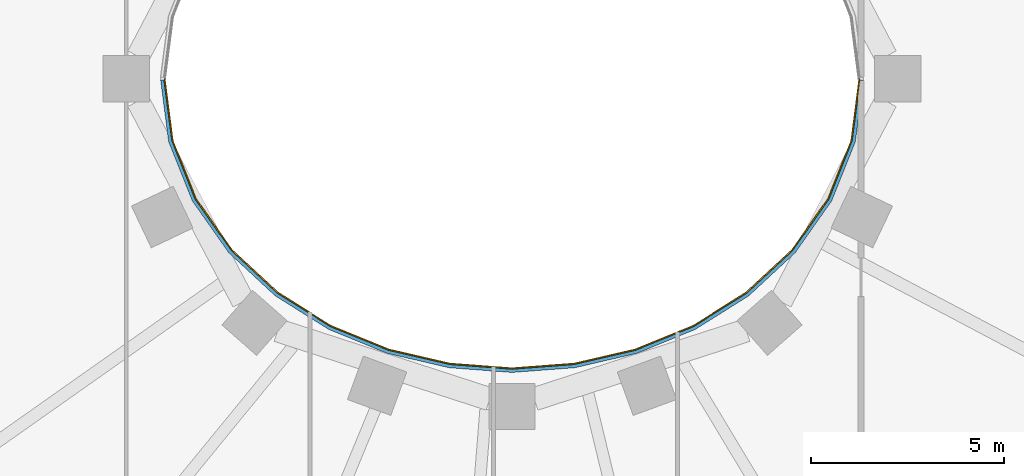
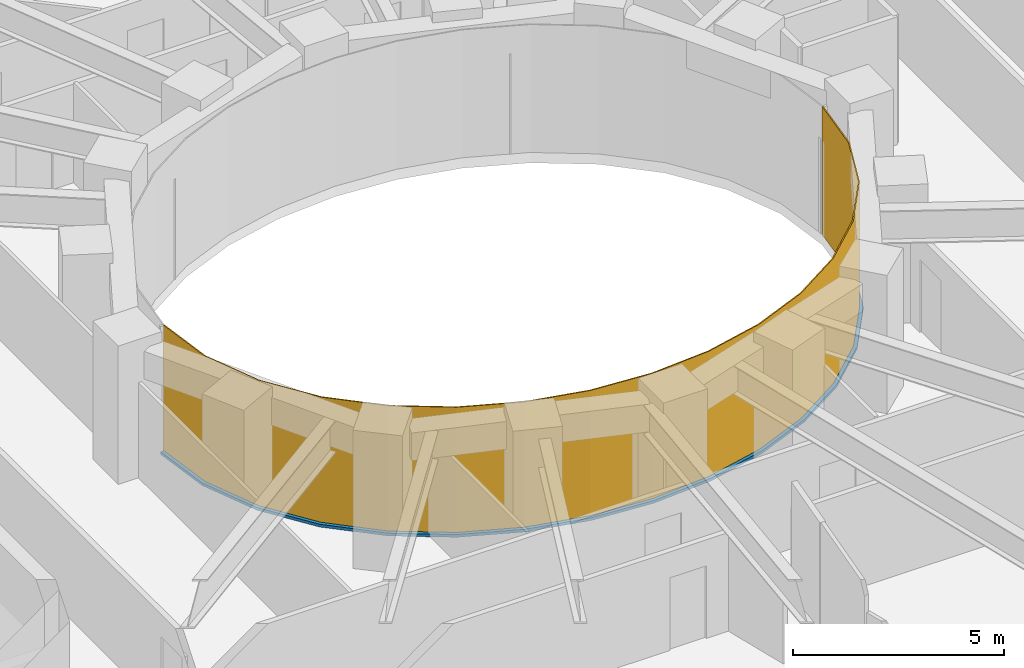
# One storey, part 9 of 16: 1 curtain wall, 1 member.
"""IFC4 building model written with IfcOpenShell, lengths in metres."""

from ifc_helpers import new_model, si_unit, direction, frame, origin, place, context, subcontext, project, spatial, polyline, outline, extrude, material, layer, layer_set, type_object, element, aggregate, save


model = new_model("IFC4")

# Units and contexts
model_context = context("Model", 3, precision=1e-05, world=origin(), true_north=direction((0.0, 1.0)))
body_context = subcontext(model_context, "Body", "Model", "MODEL_VIEW")
ifc_project = project(units=[si_unit("LENGTHUNIT", "METRE"), si_unit("AREAUNIT", "SQUARE_METRE"), si_unit("VOLUMEUNIT", "CUBIC_METRE"), si_unit("PLANEANGLEUNIT", "RADIAN"), si_unit("MASSUNIT", "GRAM", prefix="KILO")], contexts=[model_context])

# Member
ifc_material_1 = material(Name="Steel S355 fire-resisting frame", Category="steel")
member_type = type_object("IfcMemberType", Name="ENV-TRANSOM-W", PredefinedType="USERDEFINED", material=ifc_material_1)
site_placement = place(None, origin())
building_placement = place(site_placement, origin())
storey_placement = place(building_placement, frame((0.0, 0.0, 108.0)))
member_placement = place(storey_placement, origin())
member = element("IfcMember", 1, at=member_placement, type_object=member_type, Name="Transom W well 17-01", ObjectType="TRANSOM", PredefinedType="USERDEFINED", context=body_context, shape_type="SweptSolid", body=[
    extrude(outline(polyline([(-9.119384765625, -0.02783203125), (-8.910400390625, -1.63623046875), (-8.29833984375, -3.167236328125), (-7.35107421875, -4.5146484375), (-6.1455078125, -5.6337890625), (-4.75341796875, -6.50634765625), (-3.233642578125, -7.127685546875), (-1.635498046875, -7.498779296875), (0.0, -7.622314453125), (1.635498046875, -7.498779296875), (3.233642578125, -7.127685546875), (4.75341796875, -6.50634765625), (6.1455078125, -5.6337890625), (7.35107421875, -4.5146484375), (8.29833984375, -3.167236328125), (8.910400390625, -1.63623046875), (9.119384765625, -0.02783203125), (9.02880859375, -0.02783203125), (8.822509765625, -1.61328125), (8.21875, -3.124267578125), (7.282958984375, -4.455078125), (6.090576171875, -5.56201171875), (4.712158203125, -6.426025390625), (3.206298828125, -7.04150390625), (1.621826171875, -7.40966796875), (0.0, -7.531982421875), (-1.621826171875, -7.40966796875), (-3.206298828125, -7.04150390625), (-4.712158203125, -6.426025390625), (-6.090576171875, -5.56201171875), (-7.282958984375, -4.455078125), (-8.21875, -3.124267578125), (-8.822509765625, -1.61328125), (-9.02880859375, -0.02783203125), (-9.119384765625, -0.02783203125)])), origin(), (0.0, 0.0, 1.0), 0.080078125),
])

# Site, building, storey
site = spatial("IfcSite", under=ifc_project, at=site_placement, CompositionType="ELEMENT")
building = spatial("IfcBuilding", under=site, at=building_placement, Name="Noorbagh Ring Tower", CompositionType="ELEMENT")
storey = spatial("IfcBuildingStorey", under=building, at=storey_placement, Name="L24", CompositionType="ELEMENT", Elevation=108.0)

# Curtain wall
ifc_material_2 = material(Name="Glass fire-resisting E60 laminated", Category="glass")
ifc_layer = layer(ifc_material_2, 0.031982421875)
ifc_layer_set = layer_set([ifc_layer], Name="Glass fire-resisting E60 laminated")
curtain_wall_type = type_object("IfcCurtainWallType", Name="ENV-CW-W", PredefinedType="NOTDEFINED", material=ifc_layer_set)
curtain_wall_placement = place(storey_placement, origin())
curtain_wall = element("IfcCurtainWall", 2, at=curtain_wall_placement, inside=storey, type_object=curtain_wall_type, Name="Curtain wall W W17", PredefinedType="NOTDEFINED", context=body_context, shape_type="SweptSolid", body=[
    extrude(outline(polyline([(-9.0322265625, 0.0), (-8.822509765625, -1.61328125), (-8.21875, -3.124267578125), (-7.282958984375, -4.455078125), (-6.090576171875, -5.56201171875), (-4.712158203125, -6.426025390625), (-3.206298828125, -7.04150390625), (-1.621826171875, -7.40966796875), (0.0, -7.531982421875), (1.621826171875, -7.40966796875), (3.206298828125, -7.04150390625), (4.712158203125, -6.426025390625), (6.090576171875, -5.56201171875), (7.282958984375, -4.455078125), (8.21875, -3.124267578125), (8.822509765625, -1.61328125), (9.0322265625, 0.0), (9.0, 0.0), (8.79150390625, -1.605224609375), (8.1904296875, -3.10888671875), (7.2587890625, -4.43408203125), (6.071044921875, -5.53662109375), (4.697509765625, -6.3974609375), (3.196533203125, -7.010986328125), (1.6171875, -7.3779296875), (0.0, -7.5), (-1.6171875, -7.3779296875), (-3.196533203125, -7.010986328125), (-4.697509765625, -6.3974609375), (-6.071044921875, -5.53662109375), (-7.2587890625, -4.43408203125), (-8.1904296875, -3.10888671875), (-8.79150390625, -1.605224609375), (-9.0, 0.0), (-9.0322265625, 0.0)])), origin(), (0.0, 0.0, 1.0), 3.699951171875),
])

aggregate(curtain_wall, [member])

save(model, "model.ifc")
